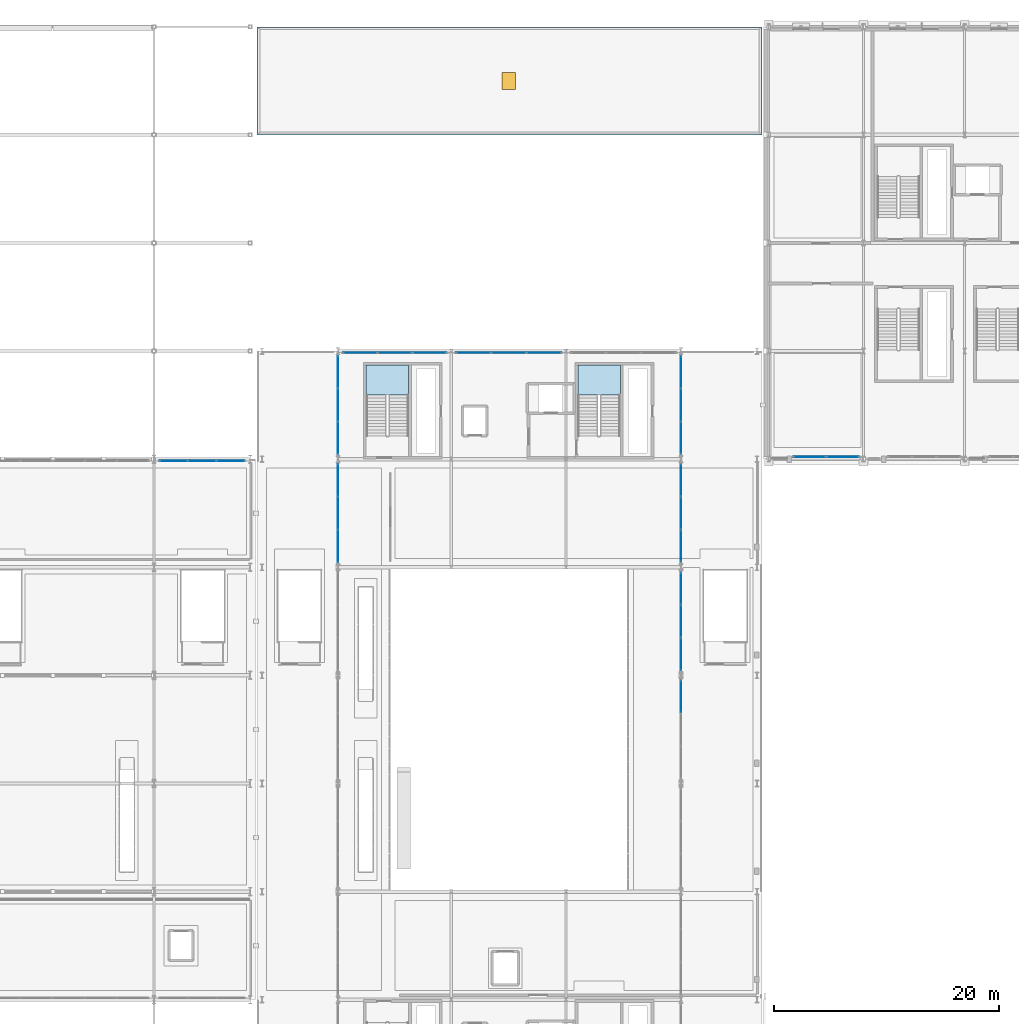
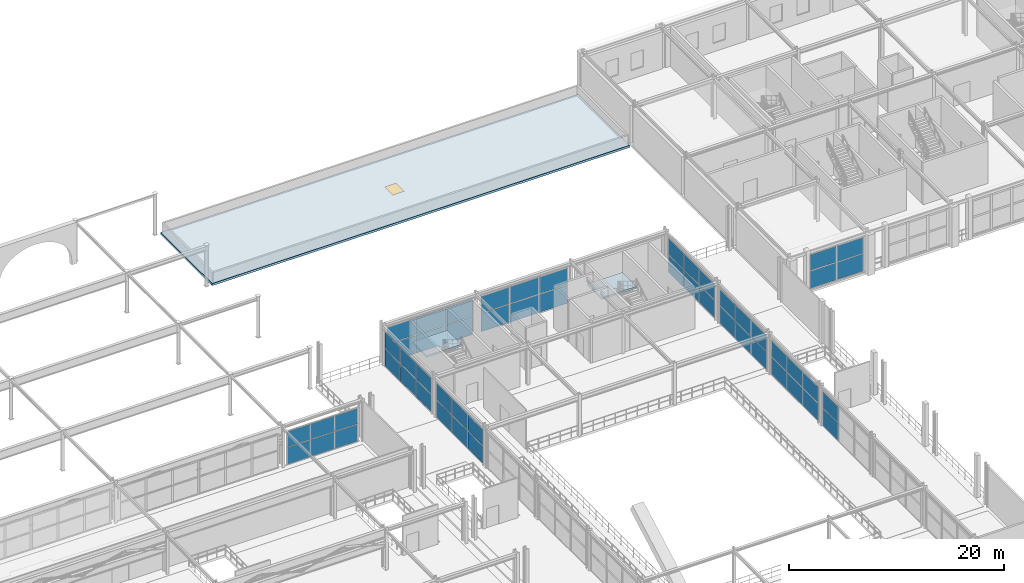
# One storey, part 62 of 125: 54 plates, 3 slabs, 1 window, 1 opening, 12 elements without a shape of their own.
"""IFC4 building model written with IfcOpenShell, lengths in metres."""

import ifcopenshell
import ifcopenshell.guid

model = None  # the IFC model being written
_history = None  # IfcOwnerHistory: only IFC2X3 demands one
_inside = {}  # id of a spatial element -> (the spatial element, [elements in it])
_under = {}  # id of a project, library or spatial element -> (it, [spatial elements below it])
_declared = {}  # id of a project -> (the project, [libraries it declares])
_typed = {}  # id of a type object -> (the type object, [elements of that type])
_made_of = {}  # id of a material, layer set ... -> (it, [elements and type objects made of it])


def new_model(schema):
    """Start an empty IFC model of exactly this schema.

    Asked for "IFC4X3", IfcOpenShell would pick the latest addendum, in which some entities
    have other attributes; the version numbers below select the first issue.
    IFC2X3 requires an IfcOwnerHistory on every rooted entity: one is made here for all.
    """
    global model, _history
    if schema == "IFC4X3":
        model = ifcopenshell.file(schema_version=(4, 3, 0, 0))
    else:
        model = ifcopenshell.file(schema=schema)
    _inside.clear()
    _under.clear()
    _declared.clear()
    _typed.clear()
    _made_of.clear()
    _history = None
    if model.schema == "IFC2X3":
        org = make("IfcOrganization", Name="unknown")
        user = make(
            "IfcPersonAndOrganization",
            ThePerson=make("IfcPerson", FamilyName="unknown"),
            TheOrganization=org,
        )
        app = make(
            "IfcApplication",
            ApplicationDeveloper=org,
            Version="unknown",
            ApplicationFullName="unknown",
            ApplicationIdentifier="unknown",
        )
        _history = make(
            "IfcOwnerHistory",
            OwningUser=user,
            OwningApplication=app,
            ChangeAction="ADDED",
            CreationDate=0,
        )
    return model


def make(cls, **values):
    """One entity of the class cls with the attributes given. An attribute that is None is left unset."""
    return model.create_entity(
        cls, **{name: value for name, value in values.items() if value is not None}
    )


def rooted(cls, **values):
    """An entity with a GlobalId (a new one), such as an element, a storey or a relation."""
    return make(cls, GlobalId=ifcopenshell.guid.new(), OwnerHistory=_history, **values)


def si_unit(unit_type, name, prefix=None):
    """IfcSIUnit, for example si_unit("LENGTHUNIT", "METRE", prefix="MILLI")."""
    return make("IfcSIUnit", UnitType=unit_type, Prefix=prefix, Name=name)


def assignment(units):
    """IfcUnitAssignment: the units of a project."""
    return None if units is None else make("IfcUnitAssignment", Units=units)


def point(xyz):
    """IfcCartesianPoint."""
    return None if xyz is None else make("IfcCartesianPoint", Coordinates=xyz)


def direction(xyz):
    """IfcDirection."""
    return None if xyz is None else make("IfcDirection", DirectionRatios=xyz)


def frame(location, z_axis=None, x_axis=None):
    """IfcAxis2Placement3D, a coordinate frame: its origin and axes. An axis left out is left unset."""
    return make(
        "IfcAxis2Placement3D",
        Location=point(location),
        Axis=direction(z_axis),
        RefDirection=direction(x_axis),
    )


def frame_2d(location, x_axis=None):
    """IfcAxis2Placement2D, a coordinate frame in the plane: its origin and x axis."""
    return make(
        "IfcAxis2Placement2D", Location=point(location), RefDirection=direction(x_axis)
    )


def origin():
    """The frame at (0, 0, 0) with its axes left unset."""
    return frame((0.0, 0.0, 0.0))


def origin_2d():
    """The frame at (0, 0) in the plane with its x axis left unset."""
    return frame_2d((0.0, 0.0))


def place(relative_to, where):
    """IfcLocalPlacement: puts the frame where relative to a parent placement (None: the world)."""
    return make(
        "IfcLocalPlacement", PlacementRelTo=relative_to, RelativePlacement=where
    )


def context(
    kind, dimensions, precision=None, world=None, true_north=None, identifier=None
):
    """IfcGeometricRepresentationContext, for example the 3D "Model" context."""
    return make(
        "IfcGeometricRepresentationContext",
        ContextIdentifier=identifier,
        ContextType=kind,
        CoordinateSpaceDimension=dimensions,
        Precision=precision,
        WorldCoordinateSystem=world,
        TrueNorth=true_north,
    )


def subcontext(parent, identifier, kind, view, scale=None):
    """IfcGeometricRepresentationSubContext, for example "Body" below "Model"."""
    return make(
        "IfcGeometricRepresentationSubContext",
        ContextIdentifier=identifier,
        ContextType=kind,
        ParentContext=parent,
        TargetScale=scale,
        TargetView=view,
    )


def project(units=None, contexts=None):
    """IfcProject with its units and contexts."""
    return rooted(
        "IfcProject",
        Name="project",
        RepresentationContexts=contexts,
        UnitsInContext=assignment(units),
    )


def spatial(cls, under=None, at=None, **own):
    """A site, building, storey or space (cls), placed at a placement, below another one or the project."""
    s = rooted(cls, ObjectPlacement=at, **own)
    if under is not None:
        _under.setdefault(under.id(), (under, []))[1].append(s)
    return s


def polyline(points):
    """IfcPolyline through the points."""
    return make("IfcPolyline", Points=[point(p) for p in points])


def profile(cls, at=None, kind="AREA", **sizes):
    """A parametric profile (cls). Its sizes go by their IFC names, for example OverallWidth=200.0."""
    return make(cls, ProfileType=kind, Position=at, **sizes)


def rectangle(**sizes):
    """IfcRectangleProfileDef."""
    return profile("IfcRectangleProfileDef", **sizes)


def outline(outer, holes=None, kind="AREA"):
    """IfcArbitraryClosedProfileDef: a profile drawn as a closed curve; with holes, ...WithVoids."""
    if holes is None:
        return make("IfcArbitraryClosedProfileDef", ProfileType=kind, OuterCurve=outer)
    return make(
        "IfcArbitraryProfileDefWithVoids",
        ProfileType=kind,
        OuterCurve=outer,
        InnerCurves=holes,
    )


def extrude(swept, where, along, depth):
    """IfcExtrudedAreaSolid: the profile swept, set in the frame where, extruded along a direction by depth."""
    return make(
        "IfcExtrudedAreaSolid",
        SweptArea=swept,
        Position=where,
        ExtrudedDirection=direction(along),
        Depth=depth,
    )


def shape(context_of_items, identifier, shape_type, items):
    """IfcShapeRepresentation: the items that make up one representation, for example the "Body"."""
    return make(
        "IfcShapeRepresentation",
        ContextOfItems=context_of_items,
        RepresentationIdentifier=identifier,
        RepresentationType=shape_type,
        Items=items,
    )


def material(Name=None, Category=None):
    """IfcMaterial."""
    return make("IfcMaterial", Name=Name, Category=Category)


def layer(
    of_material, thickness, ventilated=None, Name=None, Category=None, Priority=None
):
    """IfcMaterialLayer: one layer of a wall or slab, of a material (None: an air gap)."""
    return make(
        "IfcMaterialLayer",
        Material=of_material,
        LayerThickness=thickness,
        IsVentilated=ventilated,
        Name=Name,
        Category=Category,
        Priority=Priority,
    )


def layer_set(layers, Name=None):
    """IfcMaterialLayerSet."""
    return make("IfcMaterialLayerSet", MaterialLayers=layers, LayerSetName=Name)


def made_of(thing, what):
    """Note that an element or type object is made of a material, layer set ...; save() writes the relation."""
    if what is not None:
        _made_of.setdefault(what.id(), (what, []))[1].append(thing)
    return thing


def type_object(cls, material=None, **own):
    """A type object (cls), such as IfcWallType, which elements share."""
    return made_of(rooted(cls, **own), material)


def element(
    cls,
    number,
    at=None,
    inside=None,
    cuts=None,
    type_object=None,
    material=None,
    context=None,
    identifier="Body",
    shape_type=None,
    held_by="IfcProductDefinitionShape",
    body=None,
    shapes=None,
    **own,
):
    """One element of the class cls, such as IfcWall. Its Tag is "e" and its number.

    at: its placement. inside: the storey or other place that contains it. cuts: it is an
    opening in that element (IfcRelVoidsElement). A single representation is given by context,
    identifier, shape_type and body (its items); several are given by shapes. held_by: the class
    of the entity that holds the representations. save() writes the other relations.
    """
    e = rooted(cls, Tag="e%d" % number, ObjectPlacement=at, **own)
    if body is not None:
        shapes = [shape(context, identifier, shape_type, body)]
    if shapes is not None:
        e.Representation = make(held_by, Representations=shapes)
    if inside is not None:
        _inside.setdefault(inside.id(), (inside, []))[1].append(e)
    if cuts is not None:
        rooted(
            "IfcRelVoidsElement", RelatingBuildingElement=cuts, RelatedOpeningElement=e
        )
    if type_object is not None:
        _typed.setdefault(type_object.id(), (type_object, []))[1].append(e)
    return made_of(e, material)


def fill(opening, filler):
    """IfcRelFillsElement: the door or window that sits in an opening."""
    return rooted(
        "IfcRelFillsElement",
        RelatingOpeningElement=opening,
        RelatedBuildingElement=filler,
    )


def aggregate(whole, parts):
    """IfcRelAggregates: a whole, such as a stair, and the parts it consists of."""
    return rooted("IfcRelAggregates", RelatingObject=whole, RelatedObjects=parts)


def save(model, path):
    """Write the relations noted so far, then the file.

    IfcRelAggregates (storeys below a building ...), IfcRelContainedInSpatialStructure (elements
    in a storey), IfcRelDefinesByType, IfcRelAssociatesMaterial and IfcRelDeclares: one each for
    every whole, place, type object, material and project.
    """
    for whole, parts in _under.values():
        aggregate(whole, parts)
    for where, things in _inside.values():
        rooted(
            "IfcRelContainedInSpatialStructure",
            RelatedElements=things,
            RelatingStructure=where,
        )
    for kind, things in _typed.values():
        rooted("IfcRelDefinesByType", RelatedObjects=things, RelatingType=kind)
    for what, things in _made_of.values():
        rooted("IfcRelAssociatesMaterial", RelatedObjects=things, RelatingMaterial=what)
    for by, libraries in _declared.values():
        rooted("IfcRelDeclares", RelatingContext=by, RelatedDefinitions=libraries)
    model.write(path)


model = new_model("IFC4")

# Units and contexts
model_context = context("Model", 3, precision=1e-05, world=origin(), true_north=direction((0.0, 1.0)))
body_context = subcontext(model_context, "Body", "Model", "MODEL_VIEW")
ifc_project = project(units=[si_unit("LENGTHUNIT", "METRE"), si_unit("AREAUNIT", "SQUARE_METRE"), si_unit("VOLUMEUNIT", "CUBIC_METRE"), si_unit("PLANEANGLEUNIT", "RADIAN"), si_unit("MASSUNIT", "GRAM", prefix="KILO")], contexts=[model_context])

# Site, building, storey
site_placement = place(None, origin())
site = spatial("IfcSite", under=ifc_project, at=site_placement, CompositionType="ELEMENT")
building_placement = place(site_placement, origin())
building = spatial("IfcBuilding", under=site, at=building_placement, Name="Myrtia Square Station", CompositionType="ELEMENT")
storey_placement = place(building_placement, frame((0.0, 0.0, 6.0)))
storey = spatial("IfcBuildingStorey", under=building, at=storey_placement, Name="L01", CompositionType="ELEMENT", Elevation=6.0)

# Curtain wall, plates
ifc_material_1 = material(Name="Dark bronze anodised aluminium", Category="aluminium")
ifc_layer_1 = layer(ifc_material_1, 0.159912109375, Name="Dark bronze anodised aluminium")
ifc_layer_set_1 = layer_set([ifc_layer_1], Name="Dark bronze anodised aluminium")
curtain_wall_type_1 = type_object("IfcCurtainWallType", Name="CW-TYPE-04-880x400", PredefinedType="USERDEFINED", material=ifc_layer_set_1)
curtain_wall_1_placement = place(storey_placement, origin())
curtain_wall_1 = element("IfcCurtainWall", 1, at=curtain_wall_1_placement, inside=storey, type_object=curtain_wall_type_1, Name="Concourse curtain wall CW-L01-014", ObjectType="CONCOURSE CURTAIN WALL", PredefinedType="USERDEFINED")
ifc_material_2 = material(Name="Tinted low-E solar control glass", Category="glass")
ifc_layer_2 = layer(ifc_material_2, 0.02392578125, Name="Tinted low-E solar control glass")
ifc_layer_set_2 = layer_set([ifc_layer_2], Name="Tinted low-E solar control glass")
plate_type_1 = type_object("IfcPlateType", Name="CWP-GLZ-24", PredefinedType="CURTAIN_PANEL", material=ifc_layer_set_2)
plate_1_placement = place(storey_placement, frame((109.800048828125, 69.08544921875, 0.0751953125), z_axis=(0.0, 0.0, 1.0), x_axis=(0.0, 1.0, 0.0)))
plate_1 = element("IfcPlate", 2, at=plate_1_placement, type_object=plate_type_1, Name="CW-014 panel 1.1", PredefinedType="CURTAIN_PANEL", context=body_context, shape_type="SweptSolid", body=[
    extrude(rectangle(XDim=2.82080078125, YDim=0.02392578125, at=origin_2d()), origin(), (0.0, 0.0, 1.0), 1.967529296875),
])
plate_2_placement = place(storey_placement, frame((109.800048828125, 69.08544921875, 2.117431640625), z_axis=(0.0, 0.0, 1.0), x_axis=(0.0, 1.0, 0.0)))
plate_2 = element("IfcPlate", 3, at=plate_2_placement, type_object=plate_type_1, Name="CW-014 panel 1.2", PredefinedType="CURTAIN_PANEL", context=body_context, shape_type="SweptSolid", body=[
    extrude(rectangle(XDim=2.82080078125, YDim=0.02392578125, at=origin_2d()), origin(), (0.0, 0.0, 1.0), 1.8076171875),
])
plate_3_placement = place(storey_placement, frame((109.800048828125, 72.0, 0.0751953125), z_axis=(0.0, 0.0, 1.0), x_axis=(0.0, 1.0, 0.0)))
plate_3 = element("IfcPlate", 4, at=plate_3_placement, type_object=plate_type_1, Name="CW-014 panel 2.1", PredefinedType="CURTAIN_PANEL", context=body_context, shape_type="SweptSolid", body=[
    extrude(rectangle(XDim=2.8583984375, YDim=0.02392578125, at=origin_2d()), origin(), (0.0, 0.0, 1.0), 1.967529296875),
])
plate_4_placement = place(storey_placement, frame((109.800048828125, 72.0, 2.117431640625), z_axis=(0.0, 0.0, 1.0), x_axis=(0.0, 1.0, 0.0)))
plate_4 = element("IfcPlate", 5, at=plate_4_placement, type_object=plate_type_1, Name="CW-014 panel 2.2", PredefinedType="CURTAIN_PANEL", context=body_context, shape_type="SweptSolid", body=[
    extrude(rectangle(XDim=2.8583984375, YDim=0.02392578125, at=origin_2d()), origin(), (0.0, 0.0, 1.0), 1.8076171875),
])
plate_5_placement = place(storey_placement, frame((109.800048828125, 74.91455078125, 0.0751953125), z_axis=(0.0, 0.0, 1.0), x_axis=(0.0, 1.0, 0.0)))
plate_5 = element("IfcPlate", 6, at=plate_5_placement, type_object=plate_type_1, Name="CW-014 panel 3.1", PredefinedType="CURTAIN_PANEL", context=body_context, shape_type="SweptSolid", body=[
    extrude(rectangle(XDim=2.82080078125, YDim=0.02392578125, at=origin_2d()), origin(), (0.0, 0.0, 1.0), 1.967529296875),
])
plate_6_placement = place(storey_placement, frame((109.800048828125, 74.91455078125, 2.117431640625), z_axis=(0.0, 0.0, 1.0), x_axis=(0.0, 1.0, 0.0)))
plate_6 = element("IfcPlate", 7, at=plate_6_placement, type_object=plate_type_1, Name="CW-014 panel 3.2", PredefinedType="CURTAIN_PANEL", context=body_context, shape_type="SweptSolid", body=[
    extrude(rectangle(XDim=2.82080078125, YDim=0.02392578125, at=origin_2d()), origin(), (0.0, 0.0, 1.0), 1.8076171875),
])
aggregate(curtain_wall_1, [plate_1, plate_2, plate_3, plate_4, plate_5, plate_6])

ifc_layer_3 = layer(ifc_material_1, 0.159912109375, Name="Dark bronze anodised aluminium")
ifc_layer_set_3 = layer_set([ifc_layer_3], Name="Dark bronze anodised aluminium")
curtain_wall_type_2 = type_object("IfcCurtainWallType", Name="CW-TYPE-03-880x400", PredefinedType="USERDEFINED", material=ifc_layer_set_3)
curtain_wall_2_placement = place(storey_placement, origin())
curtain_wall_2 = element("IfcCurtainWall", 8, at=curtain_wall_2_placement, inside=storey, type_object=curtain_wall_type_2, Name="Concourse curtain wall CW-L01-015", ObjectType="CONCOURSE CURTAIN WALL", PredefinedType="USERDEFINED")
plate_7_placement = place(storey_placement, frame((79.35009765625, 78.682861328125, 0.06494140625), z_axis=(0.0, 0.0, 1.0), x_axis=(0.0, 1.0, 0.0)))
plate_7 = element("IfcPlate", 9, at=plate_7_placement, type_object=plate_type_1, Name="CW-015 panel 1.1", PredefinedType="CURTAIN_PANEL", context=body_context, shape_type="SweptSolid", body=[
    extrude(rectangle(XDim=2.8359375, YDim=0.02392578125, at=origin_2d()), origin(), (0.0, 0.0, 1.0), 1.982421875),
])
plate_8_placement = place(storey_placement, frame((79.35009765625, 78.682861328125, 2.1123046875), z_axis=(0.0, 0.0, 1.0), x_axis=(0.0, 1.0, 0.0)))
plate_8 = element("IfcPlate", 10, at=plate_8_placement, type_object=plate_type_1, Name="CW-015 panel 1.2", PredefinedType="CURTAIN_PANEL", context=body_context, shape_type="SweptSolid", body=[
    extrude(rectangle(XDim=2.8359375, YDim=0.02392578125, at=origin_2d()), origin(), (0.0, 0.0, 1.0), 1.822509765625),
])
plate_9_placement = place(storey_placement, frame((79.35009765625, 81.60009765625, 0.06494140625), z_axis=(0.0, 0.0, 1.0), x_axis=(0.0, 1.0, 0.0)))
plate_9 = element("IfcPlate", 11, at=plate_9_placement, type_object=plate_type_1, Name="CW-015 panel 2.1", PredefinedType="CURTAIN_PANEL", context=body_context, shape_type="SweptSolid", body=[
    extrude(rectangle(XDim=2.868408203125, YDim=0.02392578125, at=origin_2d()), origin(), (0.0, 0.0, 1.0), 1.982421875),
])
plate_10_placement = place(storey_placement, frame((79.35009765625, 81.60009765625, 2.1123046875), z_axis=(0.0, 0.0, 1.0), x_axis=(0.0, 1.0, 0.0)))
plate_10 = element("IfcPlate", 12, at=plate_10_placement, type_object=plate_type_1, Name="CW-015 panel 2.2", PredefinedType="CURTAIN_PANEL", context=body_context, shape_type="SweptSolid", body=[
    extrude(rectangle(XDim=2.868408203125, YDim=0.02392578125, at=origin_2d()), origin(), (0.0, 0.0, 1.0), 1.822509765625),
])
plate_11_placement = place(storey_placement, frame((79.35009765625, 84.51708984375, 0.06494140625), z_axis=(0.0, 0.0, 1.0), x_axis=(0.0, 1.0, 0.0)))
plate_11 = element("IfcPlate", 13, at=plate_11_placement, type_object=plate_type_1, Name="CW-015 panel 3.1", PredefinedType="CURTAIN_PANEL", context=body_context, shape_type="SweptSolid", body=[
    extrude(rectangle(XDim=2.8359375, YDim=0.02392578125, at=origin_2d()), origin(), (0.0, 0.0, 1.0), 1.982421875),
])
plate_12_placement = place(storey_placement, frame((79.35009765625, 84.51708984375, 2.1123046875), z_axis=(0.0, 0.0, 1.0), x_axis=(0.0, 1.0, 0.0)))
plate_12 = element("IfcPlate", 14, at=plate_12_placement, type_object=plate_type_1, Name="CW-015 panel 3.2", PredefinedType="CURTAIN_PANEL", context=body_context, shape_type="SweptSolid", body=[
    extrude(rectangle(XDim=2.8359375, YDim=0.02392578125, at=origin_2d()), origin(), (0.0, 0.0, 1.0), 1.822509765625),
])
aggregate(curtain_wall_2, [plate_7, plate_8, plate_9, plate_10, plate_11, plate_12])

curtain_wall_3_placement = place(storey_placement, origin())
curtain_wall_3 = element("IfcCurtainWall", 15, at=curtain_wall_3_placement, inside=storey, type_object=curtain_wall_type_1, Name="Concourse curtain wall CW-L01-018", ObjectType="CONCOURSE CURTAIN WALL", PredefinedType="USERDEFINED")
plate_13_placement = place(storey_placement, frame((109.800048828125, 88.285400390625, 0.0751953125), z_axis=(0.0, 0.0, 1.0), x_axis=(0.0, 1.0, 0.0)))
plate_13 = element("IfcPlate", 16, at=plate_13_placement, type_object=plate_type_1, Name="CW-018 panel 1.1", PredefinedType="CURTAIN_PANEL", context=body_context, shape_type="SweptSolid", body=[
    extrude(rectangle(XDim=2.82080078125, YDim=0.02392578125, at=origin_2d()), origin(), (0.0, 0.0, 1.0), 1.967529296875),
])
plate_14_placement = place(storey_placement, frame((109.800048828125, 88.285400390625, 2.117431640625), z_axis=(0.0, 0.0, 1.0), x_axis=(0.0, 1.0, 0.0)))
plate_14 = element("IfcPlate", 17, at=plate_14_placement, type_object=plate_type_1, Name="CW-018 panel 1.2", PredefinedType="CURTAIN_PANEL", context=body_context, shape_type="SweptSolid", body=[
    extrude(rectangle(XDim=2.82080078125, YDim=0.02392578125, at=origin_2d()), origin(), (0.0, 0.0, 1.0), 1.8076171875),
])
plate_15_placement = place(storey_placement, frame((109.800048828125, 91.199951171875, 0.0751953125), z_axis=(0.0, 0.0, 1.0), x_axis=(0.0, 1.0, 0.0)))
plate_15 = element("IfcPlate", 18, at=plate_15_placement, type_object=plate_type_1, Name="CW-018 panel 2.1", PredefinedType="CURTAIN_PANEL", context=body_context, shape_type="SweptSolid", body=[
    extrude(rectangle(XDim=2.8583984375, YDim=0.02392578125, at=origin_2d()), origin(), (0.0, 0.0, 1.0), 1.967529296875),
])
plate_16_placement = place(storey_placement, frame((109.800048828125, 91.199951171875, 2.117431640625), z_axis=(0.0, 0.0, 1.0), x_axis=(0.0, 1.0, 0.0)))
plate_16 = element("IfcPlate", 19, at=plate_16_placement, type_object=plate_type_1, Name="CW-018 panel 2.2", PredefinedType="CURTAIN_PANEL", context=body_context, shape_type="SweptSolid", body=[
    extrude(rectangle(XDim=2.8583984375, YDim=0.02392578125, at=origin_2d()), origin(), (0.0, 0.0, 1.0), 1.8076171875),
])
plate_17_placement = place(storey_placement, frame((109.800048828125, 94.114501953125, 0.0751953125), z_axis=(0.0, 0.0, 1.0), x_axis=(0.0, 1.0, 0.0)))
plate_17 = element("IfcPlate", 20, at=plate_17_placement, type_object=plate_type_1, Name="CW-018 panel 3.1", PredefinedType="CURTAIN_PANEL", context=body_context, shape_type="SweptSolid", body=[
    extrude(rectangle(XDim=2.82080078125, YDim=0.02392578125, at=origin_2d()), origin(), (0.0, 0.0, 1.0), 1.967529296875),
])
plate_18_placement = place(storey_placement, frame((109.800048828125, 94.114501953125, 2.117431640625), z_axis=(0.0, 0.0, 1.0), x_axis=(0.0, 1.0, 0.0)))
plate_18 = element("IfcPlate", 21, at=plate_18_placement, type_object=plate_type_1, Name="CW-018 panel 3.2", PredefinedType="CURTAIN_PANEL", context=body_context, shape_type="SweptSolid", body=[
    extrude(rectangle(XDim=2.82080078125, YDim=0.02392578125, at=origin_2d()), origin(), (0.0, 0.0, 1.0), 1.8076171875),
])
aggregate(curtain_wall_3, [plate_13, plate_14, plate_15, plate_16, plate_17, plate_18])

ifc_layer_4 = layer(ifc_material_1, 0.159912109375, Name="Dark bronze anodised aluminium")
ifc_layer_set_4 = layer_set([ifc_layer_4], Name="Dark bronze anodised aluminium")
curtain_wall_type_3 = type_object("IfcCurtainWallType", Name="CW-TYPE-09-928x415", PredefinedType="USERDEFINED", material=ifc_layer_set_4)
curtain_wall_4_placement = place(storey_placement, origin())
curtain_wall_4 = element("IfcCurtainWall", 22, at=curtain_wall_4_placement, inside=storey, type_object=curtain_wall_type_3, Name="Concourse curtain wall CW-L01-042", ObjectType="CONCOURSE CURTAIN WALL", PredefinedType="USERDEFINED")
plate_19_placement = place(storey_placement, frame((81.3154296875, 95.85009765625, 0.074951171875), z_axis=(0.0, 0.0, 1.0), x_axis=(1.0, 0.0, 0.0)))
plate_19 = element("IfcPlate", 23, at=plate_19_placement, type_object=plate_type_1, Name="CW-042 panel 1.1", PredefinedType="CURTAIN_PANEL", context=body_context, shape_type="SweptSolid", body=[
    extrude(rectangle(XDim=2.980712890625, YDim=0.02392578125, at=origin_2d()), origin(), (0.0, 0.0, 1.0), 2.04541015625),
])
plate_20_placement = place(storey_placement, frame((81.3154296875, 95.85009765625, 2.195556640625), z_axis=(0.0, 0.0, 1.0), x_axis=(1.0, 0.0, 0.0)))
plate_20 = element("IfcPlate", 24, at=plate_20_placement, type_object=plate_type_1, Name="CW-042 panel 1.2", PredefinedType="CURTAIN_PANEL", context=body_context, shape_type="SweptSolid", body=[
    extrude(rectangle(XDim=2.980712890625, YDim=0.02392578125, at=origin_2d()), origin(), (0.0, 0.0, 1.0), 1.87939453125),
])
plate_21_placement = place(storey_placement, frame((84.389892578125, 95.85009765625, 0.074951171875), z_axis=(0.0, 0.0, 1.0), x_axis=(1.0, 0.0, 0.0)))
plate_21 = element("IfcPlate", 25, at=plate_21_placement, type_object=plate_type_1, Name="CW-042 panel 2.1", PredefinedType="CURTAIN_PANEL", context=body_context, shape_type="SweptSolid", body=[
    extrude(rectangle(XDim=3.018310546875, YDim=0.02392578125, at=origin_2d()), origin(), (0.0, 0.0, 1.0), 2.04541015625),
])
plate_22_placement = place(storey_placement, frame((84.389892578125, 95.85009765625, 2.195556640625), z_axis=(0.0, 0.0, 1.0), x_axis=(1.0, 0.0, 0.0)))
plate_22 = element("IfcPlate", 26, at=plate_22_placement, type_object=plate_type_1, Name="CW-042 panel 2.2", PredefinedType="CURTAIN_PANEL", context=body_context, shape_type="SweptSolid", body=[
    extrude(rectangle(XDim=3.018310546875, YDim=0.02392578125, at=origin_2d()), origin(), (0.0, 0.0, 1.0), 1.87939453125),
])
plate_23_placement = place(storey_placement, frame((87.464599609375, 95.85009765625, 0.074951171875), z_axis=(0.0, 0.0, 1.0), x_axis=(1.0, 0.0, 0.0)))
plate_23 = element("IfcPlate", 27, at=plate_23_placement, type_object=plate_type_1, Name="CW-042 panel 3.1", PredefinedType="CURTAIN_PANEL", context=body_context, shape_type="SweptSolid", body=[
    extrude(rectangle(XDim=2.980712890625, YDim=0.02392578125, at=origin_2d()), origin(), (0.0, 0.0, 1.0), 2.04541015625),
])
plate_24_placement = place(storey_placement, frame((87.464599609375, 95.85009765625, 2.195556640625), z_axis=(0.0, 0.0, 1.0), x_axis=(1.0, 0.0, 0.0)))
plate_24 = element("IfcPlate", 28, at=plate_24_placement, type_object=plate_type_1, Name="CW-042 panel 3.2", PredefinedType="CURTAIN_PANEL", context=body_context, shape_type="SweptSolid", body=[
    extrude(rectangle(XDim=2.980712890625, YDim=0.02392578125, at=origin_2d()), origin(), (0.0, 0.0, 1.0), 1.87939453125),
])
aggregate(curtain_wall_4, [plate_19, plate_20, plate_21, plate_22, plate_23, plate_24])

ifc_layer_5 = layer(ifc_material_1, 0.159912109375, Name="Dark bronze anodised aluminium")
ifc_layer_set_5 = layer_set([ifc_layer_5], Name="Dark bronze anodised aluminium")
curtain_wall_type_4 = type_object("IfcCurtainWallType", Name="CW-TYPE-21-765x385", PredefinedType="USERDEFINED", material=ifc_layer_set_5)
curtain_wall_5_placement = place(storey_placement, origin())
curtain_wall_5 = element("IfcCurtainWall", 29, at=curtain_wall_5_placement, inside=storey, type_object=curtain_wall_type_4, Name="Concourse curtain wall CW-L01-072", ObjectType="CONCOURSE CURTAIN WALL", PredefinedType="USERDEFINED")
ifc_layer_6 = layer(ifc_material_2, 0.028076171875, Name="Tinted low-E solar control glass")
ifc_layer_set_6 = layer_set([ifc_layer_6], Name="Tinted low-E solar control glass")
plate_type_2 = type_object("IfcPlateType", Name="CWP-GLZ-28", PredefinedType="CURTAIN_PANEL", material=ifc_layer_set_6)
plate_25_placement = place(storey_placement, frame((64.7412109375, 86.25, 0.06494140625), z_axis=(0.0, 0.0, 1.0), x_axis=(1.0, 0.0, 0.0)))
plate_25 = element("IfcPlate", 30, at=plate_25_placement, type_object=plate_type_2, Name="CW-072 panel 1.1", PredefinedType="CURTAIN_PANEL", context=body_context, shape_type="SweptSolid", body=[
    extrude(rectangle(XDim=2.452392578125, YDim=0.028076171875, at=origin_2d()), origin(), (0.0, 0.0, 1.0), 1.904541015625),
])
plate_26_placement = place(storey_placement, frame((64.7412109375, 86.25, 2.034423828125), z_axis=(0.0, 0.0, 1.0), x_axis=(1.0, 0.0, 0.0)))
plate_26 = element("IfcPlate", 31, at=plate_26_placement, type_object=plate_type_2, Name="CW-072 panel 1.2", PredefinedType="CURTAIN_PANEL", context=body_context, shape_type="SweptSolid", body=[
    extrude(rectangle(XDim=2.452392578125, YDim=0.028076171875, at=origin_2d()), origin(), (0.0, 0.0, 1.0), 1.75048828125),
])
plate_27_placement = place(storey_placement, frame((67.27490234375, 86.25, 0.06494140625), z_axis=(0.0, 0.0, 1.0), x_axis=(1.0, 0.0, 0.0)))
plate_27 = element("IfcPlate", 32, at=plate_27_placement, type_object=plate_type_2, Name="CW-072 panel 2.1", PredefinedType="CURTAIN_PANEL", context=body_context, shape_type="SweptSolid", body=[
    extrude(rectangle(XDim=2.485107421875, YDim=0.028076171875, at=origin_2d()), origin(), (0.0, 0.0, 1.0), 1.904541015625),
])
plate_28_placement = place(storey_placement, frame((67.27490234375, 86.25, 2.034423828125), z_axis=(0.0, 0.0, 1.0), x_axis=(1.0, 0.0, 0.0)))
plate_28 = element("IfcPlate", 33, at=plate_28_placement, type_object=plate_type_2, Name="CW-072 panel 2.2", PredefinedType="CURTAIN_PANEL", context=body_context, shape_type="SweptSolid", body=[
    extrude(rectangle(XDim=2.485107421875, YDim=0.028076171875, at=origin_2d()), origin(), (0.0, 0.0, 1.0), 1.75048828125),
])
plate_29_placement = place(storey_placement, frame((69.808837890625, 86.25, 0.06494140625), z_axis=(0.0, 0.0, 1.0), x_axis=(1.0, 0.0, 0.0)))
plate_29 = element("IfcPlate", 34, at=plate_29_placement, type_object=plate_type_2, Name="CW-072 panel 3.1", PredefinedType="CURTAIN_PANEL", context=body_context, shape_type="SweptSolid", body=[
    extrude(rectangle(XDim=2.452392578125, YDim=0.028076171875, at=origin_2d()), origin(), (0.0, 0.0, 1.0), 1.904541015625),
])
plate_30_placement = place(storey_placement, frame((69.808837890625, 86.25, 2.034423828125), z_axis=(0.0, 0.0, 1.0), x_axis=(1.0, 0.0, 0.0)))
plate_30 = element("IfcPlate", 35, at=plate_30_placement, type_object=plate_type_2, Name="CW-072 panel 3.2", PredefinedType="CURTAIN_PANEL", context=body_context, shape_type="SweptSolid", body=[
    extrude(rectangle(XDim=2.452392578125, YDim=0.028076171875, at=origin_2d()), origin(), (0.0, 0.0, 1.0), 1.75048828125),
])
aggregate(curtain_wall_5, [plate_25, plate_26, plate_27, plate_28, plate_29, plate_30])

curtain_wall_6_placement = place(storey_placement, origin())
curtain_wall_6 = element("IfcCurtainWall", 36, at=curtain_wall_6_placement, inside=storey, type_object=curtain_wall_type_1, Name="Concourse curtain wall CW-L01-012", ObjectType="CONCOURSE CURTAIN WALL", PredefinedType="USERDEFINED")
ifc_layer_7 = layer(ifc_material_2, 0.031982421875, Name="Tinted low-E solar control glass")
ifc_layer_set_7 = layer_set([ifc_layer_7], Name="Tinted low-E solar control glass")
plate_type_3 = type_object("IfcPlateType", Name="CWP-GLZ-32", PredefinedType="CURTAIN_PANEL", material=ifc_layer_set_7)
plate_31_placement = place(storey_placement, frame((109.800048828125, 65.314697265625, 0.0751953125), z_axis=(0.0, 0.0, 1.0), x_axis=(0.0, 1.0, 0.0)))
plate_31 = element("IfcPlate", 37, at=plate_31_placement, type_object=plate_type_3, Name="CW-012 panel 3.1", PredefinedType="CURTAIN_PANEL", context=body_context, shape_type="SweptSolid", body=[
    extrude(rectangle(XDim=2.82080078125, YDim=0.031982421875, at=origin_2d()), origin(), (0.0, 0.0, 1.0), 1.967529296875),
])
plate_32_placement = place(storey_placement, frame((109.800048828125, 65.314697265625, 2.117431640625), z_axis=(0.0, 0.0, 1.0), x_axis=(0.0, 1.0, 0.0)))
plate_32 = element("IfcPlate", 38, at=plate_32_placement, type_object=plate_type_3, Name="CW-012 panel 3.2", PredefinedType="CURTAIN_PANEL", context=body_context, shape_type="SweptSolid", body=[
    extrude(rectangle(XDim=2.82080078125, YDim=0.031982421875, at=origin_2d()), origin(), (0.0, 0.0, 1.0), 1.8076171875),
])
aggregate(curtain_wall_6, [plate_31, plate_32])

curtain_wall_7_placement = place(storey_placement, origin())
curtain_wall_7 = element("IfcCurtainWall", 39, at=curtain_wall_7_placement, inside=storey, type_object=curtain_wall_type_1, Name="Concourse curtain wall CW-L01-016", ObjectType="CONCOURSE CURTAIN WALL", PredefinedType="USERDEFINED")
plate_33_placement = place(storey_placement, frame((109.800048828125, 78.685302734375, 0.0751953125), z_axis=(0.0, 0.0, 1.0), x_axis=(0.0, 1.0, 0.0)))
plate_33 = element("IfcPlate", 40, at=plate_33_placement, type_object=plate_type_3, Name="CW-016 panel 1.1", PredefinedType="CURTAIN_PANEL", context=body_context, shape_type="SweptSolid", body=[
    extrude(rectangle(XDim=2.82080078125, YDim=0.031982421875, at=origin_2d()), origin(), (0.0, 0.0, 1.0), 1.967529296875),
])
plate_34_placement = place(storey_placement, frame((109.800048828125, 78.685302734375, 2.117431640625), z_axis=(0.0, 0.0, 1.0), x_axis=(0.0, 1.0, 0.0)))
plate_34 = element("IfcPlate", 41, at=plate_34_placement, type_object=plate_type_3, Name="CW-016 panel 1.2", PredefinedType="CURTAIN_PANEL", context=body_context, shape_type="SweptSolid", body=[
    extrude(rectangle(XDim=2.82080078125, YDim=0.031982421875, at=origin_2d()), origin(), (0.0, 0.0, 1.0), 1.8076171875),
])
plate_35_placement = place(storey_placement, frame((109.800048828125, 81.60009765625, 0.0751953125), z_axis=(0.0, 0.0, 1.0), x_axis=(0.0, 1.0, 0.0)))
plate_35 = element("IfcPlate", 42, at=plate_35_placement, type_object=plate_type_3, Name="CW-016 panel 2.1", PredefinedType="CURTAIN_PANEL", context=body_context, shape_type="SweptSolid", body=[
    extrude(rectangle(XDim=2.8583984375, YDim=0.031982421875, at=origin_2d()), origin(), (0.0, 0.0, 1.0), 1.967529296875),
])
plate_36_placement = place(storey_placement, frame((109.800048828125, 81.60009765625, 2.117431640625), z_axis=(0.0, 0.0, 1.0), x_axis=(0.0, 1.0, 0.0)))
plate_36 = element("IfcPlate", 43, at=plate_36_placement, type_object=plate_type_3, Name="CW-016 panel 2.2", PredefinedType="CURTAIN_PANEL", context=body_context, shape_type="SweptSolid", body=[
    extrude(rectangle(XDim=2.8583984375, YDim=0.031982421875, at=origin_2d()), origin(), (0.0, 0.0, 1.0), 1.8076171875),
])
plate_37_placement = place(storey_placement, frame((109.800048828125, 84.5146484375, 0.0751953125), z_axis=(0.0, 0.0, 1.0), x_axis=(0.0, 1.0, 0.0)))
plate_37 = element("IfcPlate", 44, at=plate_37_placement, type_object=plate_type_3, Name="CW-016 panel 3.1", PredefinedType="CURTAIN_PANEL", context=body_context, shape_type="SweptSolid", body=[
    extrude(rectangle(XDim=2.82080078125, YDim=0.031982421875, at=origin_2d()), origin(), (0.0, 0.0, 1.0), 1.967529296875),
])
plate_38_placement = place(storey_placement, frame((109.800048828125, 84.5146484375, 2.117431640625), z_axis=(0.0, 0.0, 1.0), x_axis=(0.0, 1.0, 0.0)))
plate_38 = element("IfcPlate", 45, at=plate_38_placement, type_object=plate_type_3, Name="CW-016 panel 3.2", PredefinedType="CURTAIN_PANEL", context=body_context, shape_type="SweptSolid", body=[
    extrude(rectangle(XDim=2.82080078125, YDim=0.031982421875, at=origin_2d()), origin(), (0.0, 0.0, 1.0), 1.8076171875),
])
aggregate(curtain_wall_7, [plate_33, plate_34, plate_35, plate_36, plate_37, plate_38])

curtain_wall_8_placement = place(storey_placement, origin())
curtain_wall_8 = element("IfcCurtainWall", 46, at=curtain_wall_8_placement, inside=storey, type_object=curtain_wall_type_2, Name="Concourse curtain wall CW-L01-017", ObjectType="CONCOURSE CURTAIN WALL", PredefinedType="USERDEFINED")
plate_39_placement = place(storey_placement, frame((79.35009765625, 88.282958984375, 0.06494140625), z_axis=(0.0, 0.0, 1.0), x_axis=(0.0, 1.0, 0.0)))
plate_39 = element("IfcPlate", 47, at=plate_39_placement, type_object=plate_type_3, Name="CW-017 panel 1.1", PredefinedType="CURTAIN_PANEL", context=body_context, shape_type="SweptSolid", body=[
    extrude(rectangle(XDim=2.8359375, YDim=0.031982421875, at=origin_2d()), origin(), (0.0, 0.0, 1.0), 1.982421875),
])
plate_40_placement = place(storey_placement, frame((79.35009765625, 88.282958984375, 2.1123046875), z_axis=(0.0, 0.0, 1.0), x_axis=(0.0, 1.0, 0.0)))
plate_40 = element("IfcPlate", 48, at=plate_40_placement, type_object=plate_type_3, Name="CW-017 panel 1.2", PredefinedType="CURTAIN_PANEL", context=body_context, shape_type="SweptSolid", body=[
    extrude(rectangle(XDim=2.8359375, YDim=0.031982421875, at=origin_2d()), origin(), (0.0, 0.0, 1.0), 1.822509765625),
])
plate_41_placement = place(storey_placement, frame((79.35009765625, 91.199951171875, 0.06494140625), z_axis=(0.0, 0.0, 1.0), x_axis=(0.0, 1.0, 0.0)))
plate_41 = element("IfcPlate", 49, at=plate_41_placement, type_object=plate_type_3, Name="CW-017 panel 2.1", PredefinedType="CURTAIN_PANEL", context=body_context, shape_type="SweptSolid", body=[
    extrude(rectangle(XDim=2.868408203125, YDim=0.031982421875, at=origin_2d()), origin(), (0.0, 0.0, 1.0), 1.982421875),
])
plate_42_placement = place(storey_placement, frame((79.35009765625, 91.199951171875, 2.1123046875), z_axis=(0.0, 0.0, 1.0), x_axis=(0.0, 1.0, 0.0)))
plate_42 = element("IfcPlate", 50, at=plate_42_placement, type_object=plate_type_3, Name="CW-017 panel 2.2", PredefinedType="CURTAIN_PANEL", context=body_context, shape_type="SweptSolid", body=[
    extrude(rectangle(XDim=2.868408203125, YDim=0.031982421875, at=origin_2d()), origin(), (0.0, 0.0, 1.0), 1.822509765625),
])
plate_43_placement = place(storey_placement, frame((79.35009765625, 94.1171875, 0.06494140625), z_axis=(0.0, 0.0, 1.0), x_axis=(0.0, 1.0, 0.0)))
plate_43 = element("IfcPlate", 51, at=plate_43_placement, type_object=plate_type_3, Name="CW-017 panel 3.1", PredefinedType="CURTAIN_PANEL", context=body_context, shape_type="SweptSolid", body=[
    extrude(rectangle(XDim=2.8359375, YDim=0.031982421875, at=origin_2d()), origin(), (0.0, 0.0, 1.0), 1.982421875),
])
plate_44_placement = place(storey_placement, frame((79.35009765625, 94.1171875, 2.1123046875), z_axis=(0.0, 0.0, 1.0), x_axis=(0.0, 1.0, 0.0)))
plate_44 = element("IfcPlate", 52, at=plate_44_placement, type_object=plate_type_3, Name="CW-017 panel 3.2", PredefinedType="CURTAIN_PANEL", context=body_context, shape_type="SweptSolid", body=[
    extrude(rectangle(XDim=2.8359375, YDim=0.031982421875, at=origin_2d()), origin(), (0.0, 0.0, 1.0), 1.822509765625),
])
aggregate(curtain_wall_8, [plate_39, plate_40, plate_41, plate_42, plate_43, plate_44])

ifc_layer_8 = layer(ifc_material_1, 0.159912109375, Name="Dark bronze anodised aluminium")
ifc_layer_set_8 = layer_set([ifc_layer_8], Name="Dark bronze anodised aluminium")
curtain_wall_type_5 = type_object("IfcCurtainWallType", Name="CW-TYPE-10-946x415", PredefinedType="USERDEFINED", material=ifc_layer_set_8)
curtain_wall_9_placement = place(storey_placement, origin())
curtain_wall_9 = element("IfcCurtainWall", 53, at=curtain_wall_9_placement, inside=storey, type_object=curtain_wall_type_5, Name="Concourse curtain wall CW-L01-044", ObjectType="CONCOURSE CURTAIN WALL", PredefinedType="USERDEFINED")
plate_45_placement = place(storey_placement, frame((91.365478515625, 95.85009765625, 0.074951171875), z_axis=(0.0, 0.0, 1.0), x_axis=(1.0, 0.0, 0.0)))
plate_45 = element("IfcPlate", 54, at=plate_45_placement, type_object=plate_type_3, Name="CW-044 panel 1.1", PredefinedType="CURTAIN_PANEL", context=body_context, shape_type="SweptSolid", body=[
    extrude(rectangle(XDim=3.040771484375, YDim=0.031982421875, at=origin_2d()), origin(), (0.0, 0.0, 1.0), 2.04541015625),
])
plate_46_placement = place(storey_placement, frame((91.365478515625, 95.85009765625, 2.195556640625), z_axis=(0.0, 0.0, 1.0), x_axis=(1.0, 0.0, 0.0)))
plate_46 = element("IfcPlate", 55, at=plate_46_placement, type_object=plate_type_3, Name="CW-044 panel 1.2", PredefinedType="CURTAIN_PANEL", context=body_context, shape_type="SweptSolid", body=[
    extrude(rectangle(XDim=3.040771484375, YDim=0.031982421875, at=origin_2d()), origin(), (0.0, 0.0, 1.0), 1.87939453125),
])
plate_47_placement = place(storey_placement, frame((94.5, 95.85009765625, 0.074951171875), z_axis=(0.0, 0.0, 1.0), x_axis=(1.0, 0.0, 0.0)))
plate_47 = element("IfcPlate", 56, at=plate_47_placement, type_object=plate_type_3, Name="CW-044 panel 2.1", PredefinedType="CURTAIN_PANEL", context=body_context, shape_type="SweptSolid", body=[
    extrude(rectangle(XDim=3.078369140625, YDim=0.031982421875, at=origin_2d()), origin(), (0.0, 0.0, 1.0), 2.04541015625),
])
plate_48_placement = place(storey_placement, frame((94.5, 95.85009765625, 2.195556640625), z_axis=(0.0, 0.0, 1.0), x_axis=(1.0, 0.0, 0.0)))
plate_48 = element("IfcPlate", 57, at=plate_48_placement, type_object=plate_type_3, Name="CW-044 panel 2.2", PredefinedType="CURTAIN_PANEL", context=body_context, shape_type="SweptSolid", body=[
    extrude(rectangle(XDim=3.078369140625, YDim=0.031982421875, at=origin_2d()), origin(), (0.0, 0.0, 1.0), 1.87939453125),
])
plate_49_placement = place(storey_placement, frame((97.634521484375, 95.85009765625, 0.074951171875), z_axis=(0.0, 0.0, 1.0), x_axis=(1.0, 0.0, 0.0)))
plate_49 = element("IfcPlate", 58, at=plate_49_placement, type_object=plate_type_3, Name="CW-044 panel 3.1", PredefinedType="CURTAIN_PANEL", context=body_context, shape_type="SweptSolid", body=[
    extrude(rectangle(XDim=3.040771484375, YDim=0.031982421875, at=origin_2d()), origin(), (0.0, 0.0, 1.0), 2.04541015625),
])
plate_50_placement = place(storey_placement, frame((97.634521484375, 95.85009765625, 2.195556640625), z_axis=(0.0, 0.0, 1.0), x_axis=(1.0, 0.0, 0.0)))
plate_50 = element("IfcPlate", 59, at=plate_50_placement, type_object=plate_type_3, Name="CW-044 panel 3.2", PredefinedType="CURTAIN_PANEL", context=body_context, shape_type="SweptSolid", body=[
    extrude(rectangle(XDim=3.040771484375, YDim=0.031982421875, at=origin_2d()), origin(), (0.0, 0.0, 1.0), 1.87939453125),
])
aggregate(curtain_wall_9, [plate_45, plate_46, plate_47, plate_48, plate_49, plate_50])

ifc_layer_9 = layer(ifc_material_1, 0.159912109375, Name="Dark bronze anodised aluminium")
ifc_layer_set_9 = layer_set([ifc_layer_9], Name="Dark bronze anodised aluminium")
curtain_wall_type_6 = type_object("IfcCurtainWallType", Name="CW-TYPE-37-590x400", PredefinedType="USERDEFINED", material=ifc_layer_set_9)
curtain_wall_10_placement = place(storey_placement, origin())
curtain_wall_10 = element("IfcCurtainWall", 60, at=curtain_wall_10_placement, inside=storey, type_object=curtain_wall_type_6, Name="Concourse curtain wall CW-L01-116", ObjectType="CONCOURSE CURTAIN WALL", PredefinedType="USERDEFINED")
plate_51_placement = place(storey_placement, frame((121.24365234375, 86.60009765625, 0.0751953125), z_axis=(0.0, 0.0, 1.0), x_axis=(1.0, 0.0, 0.0)))
plate_51 = element("IfcPlate", 61, at=plate_51_placement, type_object=plate_type_3, Name="CW-116 panel 1.1", PredefinedType="CURTAIN_PANEL", context=body_context, shape_type="SweptSolid", body=[
    extrude(rectangle(XDim=2.83740234375, YDim=0.031982421875, at=origin_2d()), origin(), (0.0, 0.0, 1.0), 1.967529296875),
])
plate_52_placement = place(storey_placement, frame((121.24365234375, 86.60009765625, 2.117431640625), z_axis=(0.0, 0.0, 1.0), x_axis=(1.0, 0.0, 0.0)))
plate_52 = element("IfcPlate", 62, at=plate_52_placement, type_object=plate_type_3, Name="CW-116 panel 1.2", PredefinedType="CURTAIN_PANEL", context=body_context, shape_type="SweptSolid", body=[
    extrude(rectangle(XDim=2.83740234375, YDim=0.031982421875, at=origin_2d()), origin(), (0.0, 0.0, 1.0), 1.8076171875),
])
plate_53_placement = place(storey_placement, frame((124.15625, 86.60009765625, 0.0751953125), z_axis=(0.0, 0.0, 1.0), x_axis=(1.0, 0.0, 0.0)))
plate_53 = element("IfcPlate", 63, at=plate_53_placement, type_object=plate_type_3, Name="CW-116 panel 2.1", PredefinedType="CURTAIN_PANEL", context=body_context, shape_type="SweptSolid", body=[
    extrude(rectangle(XDim=2.83740234375, YDim=0.031982421875, at=origin_2d()), origin(), (0.0, 0.0, 1.0), 1.967529296875),
])
plate_54_placement = place(storey_placement, frame((124.15625, 86.60009765625, 2.117431640625), z_axis=(0.0, 0.0, 1.0), x_axis=(1.0, 0.0, 0.0)))
plate_54 = element("IfcPlate", 64, at=plate_54_placement, type_object=plate_type_3, Name="CW-116 panel 2.2", PredefinedType="CURTAIN_PANEL", context=body_context, shape_type="SweptSolid", body=[
    extrude(rectangle(XDim=2.83740234375, YDim=0.031982421875, at=origin_2d()), origin(), (0.0, 0.0, 1.0), 1.8076171875),
])
aggregate(curtain_wall_10, [plate_51, plate_52, plate_53, plate_54])

# Stair, slab
ifc_material_3 = material(Name="Concrete C35/45", Category="concrete")
stair_type = type_object("IfcStairType", Name="STR-03-28R-1800W", PredefinedType="HALF_TURN_STAIR", material=ifc_material_3)
stair_1_placement = place(storey_placement, origin())
stair_1 = element("IfcStair", 65, at=stair_1_placement, inside=storey, type_object=stair_type, Name="L01 Core escape stair ST02", PredefinedType="HALF_TURN_STAIR")
ifc_layer_10 = layer(ifc_material_3, 0.199951171875, Name="Concrete C35/45")
ifc_layer_set_10 = layer_set([ifc_layer_10], Name="Concrete C35/45")
slab_type_1 = type_object("IfcSlabType", Name="SLB-LAND-200", PredefinedType="LANDING", material=ifc_layer_set_10)
slab_1_placement = place(storey_placement, frame((0.0, 0.0, 2.199951171875)))
slab_1 = element("IfcSlab", 66, at=slab_1_placement, type_object=slab_type_1, Name="ST02 landing 1", PredefinedType="LANDING", context=body_context, shape_type="SweptSolid", body=[
    extrude(outline(polyline([(85.610107421875, 92.090087890625), (85.610107421875, 94.75), (81.85009765625, 94.75), (81.85009765625, 92.090087890625), (85.610107421875, 92.090087890625)])), origin(), (0.0, 0.0, 1.0), 0.199951171875),
])
aggregate(stair_1, [slab_1])

stair_2_placement = place(storey_placement, origin())
stair_2 = element("IfcStair", 67, at=stair_2_placement, inside=storey, type_object=stair_type, Name="L01 Core escape stair ST04", PredefinedType="HALF_TURN_STAIR")
slab_2_placement = place(storey_placement, frame((0.0, 0.0, 2.199951171875)))
slab_2 = element("IfcSlab", 68, at=slab_2_placement, type_object=slab_type_1, Name="ST04 landing 1", PredefinedType="LANDING", context=body_context, shape_type="SweptSolid", body=[
    extrude(outline(polyline([(104.409912109375, 92.090087890625), (104.409912109375, 94.75), (100.64990234375, 94.75), (100.64990234375, 92.090087890625), (104.409912109375, 92.090087890625)])), origin(), (0.0, 0.0, 1.0), 0.199951171875),
])
aggregate(stair_2, [slab_2])

# Slab, opening, window
ifc_layer_11 = layer(ifc_material_3, 0.2451171875, Name="Concrete C35/45")
ifc_layer_set_11 = layer_set([ifc_layer_11], Name="Concrete C35/45")
slab_type_2 = type_object("IfcSlabType", Name="SLB-ROOF-245", PredefinedType="ROOF", material=ifc_layer_set_11)
slab_3_placement = place(storey_placement, frame((0.0, 0.0, -0.2451171875)))
slab_3 = element("IfcSlab", 69, at=slab_3_placement, inside=storey, type_object=slab_type_2, Name="Flat roof deck ROOF-L01-V5W", PredefinedType="ROOF", context=body_context, shape_type="SweptSolid", body=[
    extrude(outline(polyline([(72.14990234375, 115.199951171875), (117.0, 115.199951171875), (117.0, 124.800048828125), (72.14990234375, 124.800048828125), (72.14990234375, 115.199951171875)])), origin(), (0.0, 0.0, 1.0), 0.2451171875),
])
opening_placement = place(slab_3_placement, frame((94.5, 120.0, 0.0)))
opening = element("IfcOpeningElement", 70, at=opening_placement, cuts=slab_3, Name="Opening SK-001", PredefinedType="OPENING", context=body_context, shape_type="SweptSolid", body=[
    extrude(rectangle(XDim=1.199951171875, YDim=1.5, at=origin_2d()), frame((0.0, 0.0, -0.014892578125), z_axis=(0.0, 0.0, 1.0), x_axis=(1.0, 0.0, 0.0)), (0.0, 0.0, 1.0), 0.275146484375),
])
window_type = type_object("IfcWindowType", Name="SKY-HATCH-1200x1500", PartitioningType="SINGLE_PANEL", PredefinedType="SKYLIGHT", material=ifc_material_2)
window_placement = place(opening_placement, frame((0.0, 0.0, 0.195068359375)))
window = element("IfcWindow", 71, at=window_placement, inside=storey, type_object=window_type, Name="Roof maintenance access hatch SK-001", OverallHeight=1.5, OverallWidth=1.199951171875, PartitioningType="SINGLE_PANEL", PredefinedType="SKYLIGHT", context=body_context, shape_type="SweptSolid", body=[
    extrude(rectangle(XDim=1.199951171875, YDim=1.5, at=origin_2d()), origin(), (0.0, 0.0, 1.0), 0.050048828125),
])
fill(opening, window)

save(model, "model.ifc")
